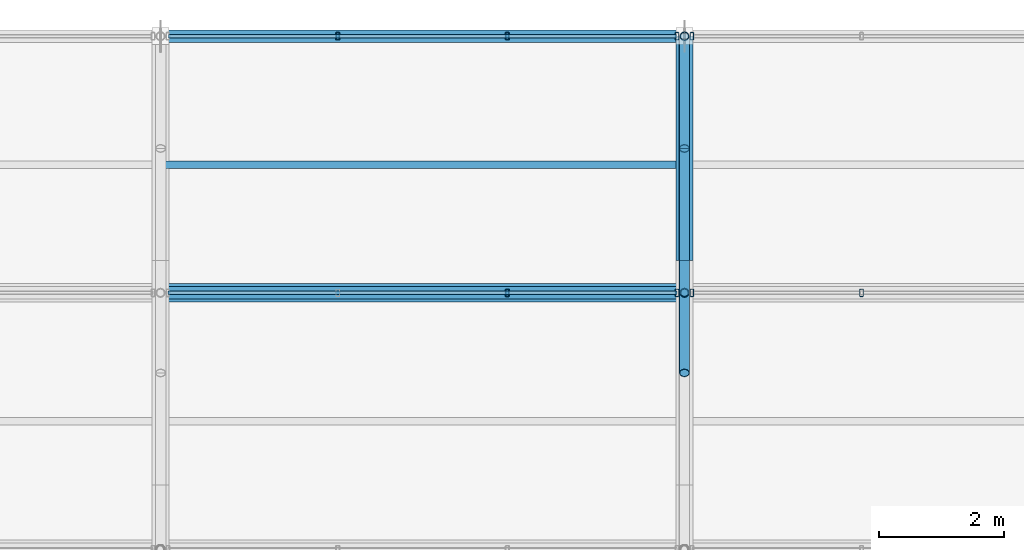
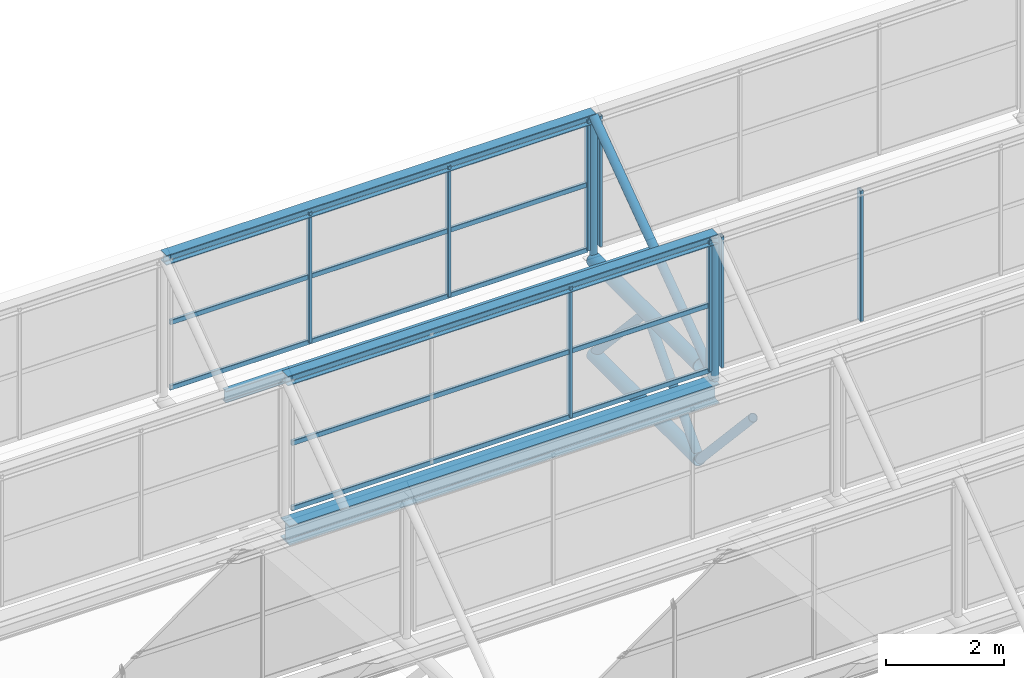
# One storey, part 68 of 134: 22 members, 4 beams, 4 elements without a shape of their own.
"""IFC4 building model written with IfcOpenShell, lengths in metres."""

from ifc_helpers import new_model, si_unit, derived_unit, direction, frame, origin, origin_2d, place, context, subcontext, project, spatial, hollow_rectangle, hollow_circle, i_section, extrude, material, material_profile, profile_set, type_object, element, aggregate, save


model = new_model("IFC4")

# Units and contexts
model_context = context("Model", 3, precision=1e-05, world=origin(), true_north=direction((0.0, 1.0)))
body_context = subcontext(model_context, "Body", "Model", "MODEL_VIEW")
ifc_project = project(units=[si_unit("LENGTHUNIT", "METRE"), si_unit("AREAUNIT", "SQUARE_METRE"), si_unit("VOLUMEUNIT", "CUBIC_METRE"), si_unit("PLANEANGLEUNIT", "RADIAN"), si_unit("MASSUNIT", "GRAM", prefix="KILO"), derived_unit("THERMALTRANSMITTANCEUNIT", [(si_unit("MASSUNIT", "GRAM", prefix="KILO"), 1), (si_unit("TIMEUNIT", "SECOND"), -3), (si_unit("THERMODYNAMICTEMPERATUREUNIT", "KELVIN"), -1)])], contexts=[model_context])

# Site, building, storey
site_placement = place(None, origin())
site = spatial("IfcSite", under=ifc_project, at=site_placement, CompositionType="ELEMENT")
building_placement = place(site_placement, origin())
building = spatial("IfcBuilding", under=site, at=building_placement, Name="Kharveza Railside Sports Centre", CompositionType="ELEMENT")
storey_placement = place(building_placement, frame((0.0, 0.0, 12.89990234375)))
storey = spatial("IfcBuildingStorey", under=building, at=storey_placement, Name="L03", CompositionType="ELEMENT", Elevation=12.89990234375)

# Beams
ifc_material_1 = material(Name="Steel S355J2", Category="steel")
ifc_material_profile_1 = material_profile(ifc_material_1, i_section(OverallWidth=0.300048828125, OverallDepth=0.39990234375, WebThickness=0.013427734375, FlangeThickness=0.02392578125, FilletRadius=0.027099609375, at=origin_2d()), Name="HEB 400")
ifc_profile_set_1 = profile_set([ifc_material_profile_1], Name="Steel S355J2")
beam_type_1 = type_object("IfcBeamType", Name="BM-G07", PredefinedType="T_BEAM", material=ifc_profile_set_1)
beam_1_placement = place(storey_placement, frame((109.199951171875, 103.8857421875, 1.760009765625), z_axis=(1.0, 0.0, 0.0), x_axis=(0.0, 1.0, 0.0)))
element("IfcBeam", 1, at=beam_1_placement, inside=storey, type_object=beam_type_1, Name="BM-V2SAW-VAL-7-3", PredefinedType="T_BEAM", context=body_context, shape_type="SweptSolid", body=[
    extrude(i_section(OverallWidth=0.300048828125, OverallDepth=0.39990234375, WebThickness=0.013427734375, FlangeThickness=0.02392578125, FilletRadius=0.027099609375, at=origin_2d()), origin(), (0.0, 0.0, 1.0), 8.400146484375),
])
ifc_material_2 = material(Name="Steel S275JR", Category="steel")
ifc_material_profile_2 = material_profile(ifc_material_2, i_section(OverallWidth=0.1201171875, OverallDepth=0.239990234375, WebThickness=0.006103515625, FlangeThickness=0.009765625, FilletRadius=0.014892578125, at=origin_2d()), Name="IPE 240")
ifc_profile_set_2 = profile_set([ifc_material_profile_2], Name="Steel S275JR")
beam_type_2 = type_object("IfcBeamType", Name="BM-J01", PredefinedType="JOIST", material=ifc_profile_set_2)
beam_2_placement = place(storey_placement, frame((109.199951171875, 105.94287109375, 3.320068359375), z_axis=(1.0, 0.0, 0.0), x_axis=(0.0, 1.0, 0.0)))
element("IfcBeam", 2, at=beam_2_placement, inside=storey, type_object=beam_type_2, Name="BM-V2SAW-PUR-7-3", PredefinedType="JOIST", context=body_context, shape_type="SweptSolid", body=[
    extrude(i_section(OverallWidth=0.1201171875, OverallDepth=0.239990234375, WebThickness=0.006103515625, FlangeThickness=0.009765625, FilletRadius=0.014892578125, at=origin_2d()), origin(), (0.0, 0.0, 1.0), 8.400146484375),
])
ifc_material_profile_3 = material_profile(ifc_material_2, i_section(OverallWidth=0.199951171875, OverallDepth=0.199951171875, WebThickness=0.009033203125, FlangeThickness=0.014892578125, FilletRadius=0.01806640625, at=origin_2d()), Name="HEB 200")
ifc_profile_set_3 = profile_set([ifc_material_profile_3], Name="Steel S275JR")
beam_type_3 = type_object("IfcBeamType", Name="BM-J05", PredefinedType="JOIST", material=ifc_profile_set_3)
for number, where, z_axis, x_axis, name in (
    (3, (109.199951171875, 103.8857421875, 4.920166015625), (1.0, 0.0, 0.0), (0.0, 1.0, 0.0), "BM-V2SAW-RDG-6-3"),
    (4, (109.199951171875, 108.0, 4.920166015625), (1.0, 0.0, 0.0), (0.0, 1.0, 0.0), "BM-V2SAW-RDG-7-3"),
):
    element("IfcBeam", number, at=place(storey_placement, frame(where, z_axis=z_axis, x_axis=x_axis)), inside=storey, type_object=beam_type_3, Name=name, PredefinedType="JOIST", context=body_context, shape_type="SweptSolid", body=[
        extrude(i_section(OverallWidth=0.199951171875, OverallDepth=0.199951171875, WebThickness=0.009033203125, FlangeThickness=0.014892578125, FilletRadius=0.01806640625, at=origin_2d()), origin(), (0.0, 0.0, 1.0), 8.400146484375),
    ])

# Curtain wall, members
ifc_material_3 = material(Name="Low-E solar-control laminated glass", Category="glass")
curtain_wall_type = type_object("IfcCurtainWallType", Name="CW-NL02", PredefinedType="NOTDEFINED", material=ifc_material_3)
curtain_wall_1_placement = place(storey_placement, origin())
curtain_wall_1 = element("IfcCurtainWall", 5, at=curtain_wall_1_placement, inside=storey, type_object=curtain_wall_type, Name="CW-V2NL-6-3", PredefinedType="NOTDEFINED")
ifc_material_4 = material(Name="Anodised aluminium 6063-T6", Category="aluminium")
ifc_material_profile_4 = material_profile(ifc_material_4, hollow_rectangle(XDim=0.06005859375, YDim=0.1201171875, WallThickness=0.0048828125, InnerFilletRadius=0.0048828125, OuterFilletRadius=0.010009765625, at=origin_2d()), Name="RHS 60x120x5.0")
ifc_profile_set_4 = profile_set([ifc_material_profile_4], Name="Anodised aluminium 6063-T6")
member_type_1 = type_object("IfcMemberType", Name="CW-ML05", PredefinedType="MULLION", material=ifc_profile_set_4)
member_1_placement = place(storey_placement, frame((114.760009765625, 103.8857421875, 2.2001953125), z_axis=(0.0, 0.0, 1.0), x_axis=(1.0, 0.0, 0.0)))
member_1 = element("IfcMember", 6, at=member_1_placement, type_object=member_type_1, Name="CW-V2NL-6-3-ML3", PredefinedType="MULLION", context=body_context, shape_type="SweptSolid", body=[
    extrude(hollow_rectangle(XDim=0.06005859375, YDim=0.1201171875, WallThickness=0.0048828125, InnerFilletRadius=0.0048828125, OuterFilletRadius=0.010009765625, at=origin_2d()), origin(), (0.0, 0.0, 1.0), 2.699951171875),
])
member_2_placement = place(storey_placement, frame((117.47998046875, 103.8857421875, 2.2001953125), z_axis=(0.0, 0.0, 1.0), x_axis=(1.0, 0.0, 0.0)))
member_2 = element("IfcMember", 7, at=member_2_placement, type_object=member_type_1, Name="CW-V2NL-6-3-ML4", PredefinedType="MULLION", context=body_context, shape_type="SweptSolid", body=[
    extrude(hollow_rectangle(XDim=0.06005859375, YDim=0.1201171875, WallThickness=0.0048828125, InnerFilletRadius=0.0048828125, OuterFilletRadius=0.010009765625, at=origin_2d()), origin(), (0.0, 0.0, 1.0), 2.699951171875),
])

curtain_wall_2_placement = place(storey_placement, origin())
curtain_wall_2 = element("IfcCurtainWall", 8, at=curtain_wall_2_placement, inside=storey, type_object=curtain_wall_type, Name="CW-V2NL-6-4", PredefinedType="NOTDEFINED")
member_3_placement = place(storey_placement, frame((117.719970703125, 103.8857421875, 2.2001953125), z_axis=(0.0, 0.0, 1.0), x_axis=(1.0, 0.0, 0.0)))
member_3 = element("IfcMember", 9, at=member_3_placement, type_object=member_type_1, Name="CW-V2NL-6-4-ML1", PredefinedType="MULLION", context=body_context, shape_type="SweptSolid", body=[
    extrude(hollow_rectangle(XDim=0.06005859375, YDim=0.1201171875, WallThickness=0.0048828125, InnerFilletRadius=0.0048828125, OuterFilletRadius=0.010009765625, at=origin_2d()), origin(), (0.0, 0.0, 1.0), 2.699951171875),
])
member_4_placement = place(storey_placement, frame((120.43994140625, 103.8857421875, 2.2001953125), z_axis=(0.0, 0.0, 1.0), x_axis=(1.0, 0.0, 0.0)))
member_4 = element("IfcMember", 10, at=member_4_placement, type_object=member_type_1, Name="CW-V2NL-6-4-ML2", PredefinedType="MULLION", context=body_context, shape_type="SweptSolid", body=[
    extrude(hollow_rectangle(XDim=0.06005859375, YDim=0.1201171875, WallThickness=0.0048828125, InnerFilletRadius=0.0048828125, OuterFilletRadius=0.010009765625, at=origin_2d()), origin(), (0.0, 0.0, 1.0), 2.699951171875),
])
aggregate(curtain_wall_2, [member_3, member_4])

curtain_wall_3_placement = place(storey_placement, origin())
curtain_wall_3 = element("IfcCurtainWall", 11, at=curtain_wall_3_placement, inside=storey, type_object=curtain_wall_type, Name="CW-V2NL-7-3", PredefinedType="NOTDEFINED")
member_5_placement = place(storey_placement, frame((112.0400390625, 108.0, 2.2001953125), z_axis=(0.0, 0.0, 1.0), x_axis=(1.0, 0.0, 0.0)))
member_5 = element("IfcMember", 12, at=member_5_placement, type_object=member_type_1, Name="CW-V2NL-7-3-ML2", PredefinedType="MULLION", context=body_context, shape_type="SweptSolid", body=[
    extrude(hollow_rectangle(XDim=0.06005859375, YDim=0.1201171875, WallThickness=0.0048828125, InnerFilletRadius=0.0048828125, OuterFilletRadius=0.010009765625, at=origin_2d()), origin(), (0.0, 0.0, 1.0), 2.699951171875),
])
member_6_placement = place(storey_placement, frame((114.760009765625, 108.0, 2.2001953125), z_axis=(0.0, 0.0, 1.0), x_axis=(1.0, 0.0, 0.0)))
member_6 = element("IfcMember", 13, at=member_6_placement, type_object=member_type_1, Name="CW-V2NL-7-3-ML3", PredefinedType="MULLION", context=body_context, shape_type="SweptSolid", body=[
    extrude(hollow_rectangle(XDim=0.06005859375, YDim=0.1201171875, WallThickness=0.0048828125, InnerFilletRadius=0.0048828125, OuterFilletRadius=0.010009765625, at=origin_2d()), origin(), (0.0, 0.0, 1.0), 2.699951171875),
])
member_7_placement = place(storey_placement, frame((117.47998046875, 108.0, 2.2001953125), z_axis=(0.0, 0.0, 1.0), x_axis=(1.0, 0.0, 0.0)))
member_7 = element("IfcMember", 14, at=member_7_placement, type_object=member_type_1, Name="CW-V2NL-7-3-ML4", PredefinedType="MULLION", context=body_context, shape_type="SweptSolid", body=[
    extrude(hollow_rectangle(XDim=0.06005859375, YDim=0.1201171875, WallThickness=0.0048828125, InnerFilletRadius=0.0048828125, OuterFilletRadius=0.010009765625, at=origin_2d()), origin(), (0.0, 0.0, 1.0), 2.699951171875),
])

# Curtain wall, member
curtain_wall_4_placement = place(storey_placement, origin())
curtain_wall_4 = element("IfcCurtainWall", 15, at=curtain_wall_4_placement, inside=storey, type_object=curtain_wall_type, Name="CW-V2NL-7-4", PredefinedType="NOTDEFINED")
member_8_placement = place(storey_placement, frame((117.719970703125, 108.0, 2.2001953125), z_axis=(0.0, 0.0, 1.0), x_axis=(1.0, 0.0, 0.0)))
member_8 = element("IfcMember", 16, at=member_8_placement, type_object=member_type_1, Name="CW-V2NL-7-4-ML1", PredefinedType="MULLION", context=body_context, shape_type="SweptSolid", body=[
    extrude(hollow_rectangle(XDim=0.06005859375, YDim=0.1201171875, WallThickness=0.0048828125, InnerFilletRadius=0.0048828125, OuterFilletRadius=0.010009765625, at=origin_2d()), origin(), (0.0, 0.0, 1.0), 2.699951171875),
])
aggregate(curtain_wall_4, [member_8])

# Member
ifc_material_profile_5 = material_profile(ifc_material_4, hollow_rectangle(XDim=0.06005859375, YDim=0.10009765625, WallThickness=0.00390625, InnerFilletRadius=0.00390625, OuterFilletRadius=0.008056640625, at=origin_2d()), Name="RHS 60x100x4.0")
ifc_profile_set_5 = profile_set([ifc_material_profile_5], Name="Anodised aluminium 6063-T6")
member_type_2 = type_object("IfcMemberType", Name="CW-TR05", PredefinedType="USERDEFINED", material=ifc_profile_set_5)
member_9_placement = place(storey_placement, frame((109.320068359375, 103.8857421875, 2.2001953125), z_axis=(1.0, 0.0, 0.0), x_axis=(0.0, 1.0, 0.0)))
member_9 = element("IfcMember", 17, at=member_9_placement, type_object=member_type_2, Name="CW-V2NL-6-3-TR1", ObjectType="TRANSOM", PredefinedType="USERDEFINED", context=body_context, shape_type="SweptSolid", body=[
    extrude(hollow_rectangle(XDim=0.06005859375, YDim=0.10009765625, WallThickness=0.00390625, InnerFilletRadius=0.00390625, OuterFilletRadius=0.008056640625, at=origin_2d()), origin(), (0.0, 0.0, 1.0), 8.159912109375),
])

member_10_placement = place(storey_placement, frame((109.320068359375, 103.8857421875, 3.550048828125), z_axis=(1.0, 0.0, 0.0), x_axis=(0.0, 1.0, 0.0)))
member_10 = element("IfcMember", 18, at=member_10_placement, type_object=member_type_2, Name="CW-V2NL-6-3-TR2", ObjectType="TRANSOM", PredefinedType="USERDEFINED", context=body_context, shape_type="SweptSolid", body=[
    extrude(hollow_rectangle(XDim=0.06005859375, YDim=0.10009765625, WallThickness=0.00390625, InnerFilletRadius=0.00390625, OuterFilletRadius=0.008056640625, at=origin_2d()), origin(), (0.0, 0.0, 1.0), 8.159912109375),
])

member_11_placement = place(storey_placement, frame((109.320068359375, 103.8857421875, 4.900146484375), z_axis=(1.0, 0.0, 0.0), x_axis=(0.0, 1.0, 0.0)))
member_11 = element("IfcMember", 19, at=member_11_placement, type_object=member_type_2, Name="CW-V2NL-6-3-TR3", ObjectType="TRANSOM", PredefinedType="USERDEFINED", context=body_context, shape_type="SweptSolid", body=[
    extrude(hollow_rectangle(XDim=0.06005859375, YDim=0.10009765625, WallThickness=0.00390625, InnerFilletRadius=0.00390625, OuterFilletRadius=0.008056640625, at=origin_2d()), origin(), (0.0, 0.0, 1.0), 8.159912109375),
])

aggregate(curtain_wall_1, [member_1, member_2, member_9, member_10, member_11])

member_12_placement = place(storey_placement, frame((109.320068359375, 108.0, 2.2001953125), z_axis=(1.0, 0.0, 0.0), x_axis=(0.0, 1.0, 0.0)))
member_12 = element("IfcMember", 20, at=member_12_placement, type_object=member_type_2, Name="CW-V2NL-7-3-TR1", ObjectType="TRANSOM", PredefinedType="USERDEFINED", context=body_context, shape_type="SweptSolid", body=[
    extrude(hollow_rectangle(XDim=0.06005859375, YDim=0.10009765625, WallThickness=0.00390625, InnerFilletRadius=0.00390625, OuterFilletRadius=0.008056640625, at=origin_2d()), origin(), (0.0, 0.0, 1.0), 8.159912109375),
])

member_13_placement = place(storey_placement, frame((109.320068359375, 108.0, 3.550048828125), z_axis=(1.0, 0.0, 0.0), x_axis=(0.0, 1.0, 0.0)))
member_13 = element("IfcMember", 21, at=member_13_placement, type_object=member_type_2, Name="CW-V2NL-7-3-TR2", ObjectType="TRANSOM", PredefinedType="USERDEFINED", context=body_context, shape_type="SweptSolid", body=[
    extrude(hollow_rectangle(XDim=0.06005859375, YDim=0.10009765625, WallThickness=0.00390625, InnerFilletRadius=0.00390625, OuterFilletRadius=0.008056640625, at=origin_2d()), origin(), (0.0, 0.0, 1.0), 8.159912109375),
])

member_14_placement = place(storey_placement, frame((109.320068359375, 108.0, 4.900146484375), z_axis=(1.0, 0.0, 0.0), x_axis=(0.0, 1.0, 0.0)))
member_14 = element("IfcMember", 22, at=member_14_placement, type_object=member_type_2, Name="CW-V2NL-7-3-TR3", ObjectType="TRANSOM", PredefinedType="USERDEFINED", context=body_context, shape_type="SweptSolid", body=[
    extrude(hollow_rectangle(XDim=0.06005859375, YDim=0.10009765625, WallThickness=0.00390625, InnerFilletRadius=0.00390625, OuterFilletRadius=0.008056640625, at=origin_2d()), origin(), (0.0, 0.0, 1.0), 8.159912109375),
])

aggregate(curtain_wall_3, [member_5, member_6, member_7, member_12, member_13, member_14])

# Members
ifc_material_profile_6 = material_profile(ifc_material_1, hollow_circle(Radius=0.136474609375, WallThickness=0.01416015625, at=origin_2d()), Name="CHS 273.0x14.2")
ifc_profile_set_6 = profile_set([ifc_material_profile_6], Name="Steel S355J2")
member_type_3 = type_object("IfcMemberType", Name="MB-CH03", PredefinedType="CHORD", material=ifc_profile_set_6)
for number, where, z_axis, x_axis, name in (
    (23, (117.60009765625, 104.39990234375, 0.0), (0.0, 1.0, 0.0), (-1.0, 0.0, 0.0), "MB-V2TR-BC-4-8"),
    (24, (117.60009765625, 104.39990234375, 1.9501953125), (0.0, 1.0, 0.0), (-1.0, 0.0, 0.0), "MB-V2TR-TC-4-8"),
):
    element("IfcMember", number, at=place(storey_placement, frame(where, z_axis=z_axis, x_axis=x_axis)), inside=storey, type_object=member_type_3, Name=name, PredefinedType="CHORD", context=body_context, shape_type="SweptSolid", body=[
        extrude(hollow_circle(Radius=0.136474609375, WallThickness=0.01416015625, at=origin_2d()), origin(), (0.0, 0.0, 1.0), 3.60009765625),
    ])
ifc_material_profile_7 = material_profile(ifc_material_1, hollow_circle(Radius=0.084228515625, WallThickness=0.010009765625, at=origin_2d()), Name="CHS 168.3x10.0")
ifc_profile_set_7 = profile_set([ifc_material_profile_7], Name="Steel S355J2")
member_type_4 = type_object("IfcMemberType", Name="MB-ST03", PredefinedType="STRUT", material=ifc_profile_set_7)
member_15_placement = place(storey_placement, frame((117.60009765625, 102.60009765625, 1.9501953125), z_axis=(0.0, 0.678203679629, -0.734873981671), x_axis=(-1.0, 0.0, 0.0)))
element("IfcMember", 25, at=member_15_placement, inside=storey, type_object=member_type_4, Name="MB-V2TR-D2-4-7", PredefinedType="STRUT", context=body_context, shape_type="SweptSolid", body=[
    extrude(hollow_circle(Radius=0.084228515625, WallThickness=0.010009765625, at=origin_2d()), origin(), (0.0, 0.0, 1.0), 2.65380859375),
])
for number, where, z_axis, x_axis, name in (
    (26, (117.60009765625, 104.39990234375, 0.0), (0.0, 0.67825335715, 0.734828131956), (-1.0, 0.0, 0.0), "MB-V2TR-D1-4-8"),
    (27, (117.60009765625, 106.199951171875, 1.9501953125), (0.0, 0.67825335715, -0.734828131956), (-1.0, 0.0, 0.0), "MB-V2TR-D2-4-8"),
):
    element("IfcMember", number, at=place(storey_placement, frame(where, z_axis=z_axis, x_axis=x_axis)), inside=storey, type_object=member_type_4, Name=name, PredefinedType="STRUT", context=body_context, shape_type="SweptSolid", body=[
        extrude(hollow_circle(Radius=0.084228515625, WallThickness=0.010009765625, at=origin_2d()), origin(), (0.0, 0.0, 1.0), 2.654052734375),
    ])
member_16_placement = place(storey_placement, frame((117.60009765625, 103.8857421875, 1.9501953125), z_axis=(0.0, 0.810813691418, 0.585304329225), x_axis=(-1.0, 0.0, 0.0)))
element("IfcMember", 28, at=member_16_placement, inside=storey, type_object=member_type_4, Name="MB-V2SAW-RFT-7-4", PredefinedType="STRUT", context=body_context, shape_type="SweptSolid", body=[
    extrude(hollow_circle(Radius=0.084228515625, WallThickness=0.010009765625, at=origin_2d()), origin(), (0.0, 0.0, 1.0), 5.07421875),
])
ifc_material_profile_8 = material_profile(ifc_material_1, hollow_circle(Radius=0.06982421875, WallThickness=0.008056640625, at=origin_2d()), Name="CHS 139.7x8.0")
ifc_profile_set_8 = profile_set([ifc_material_profile_8], Name="Steel S355J2")
member_type_5 = type_object("IfcMemberType", Name="MB-ST04", PredefinedType="STRUT", material=ifc_profile_set_8)
for number, where, z_axis, x_axis, name in (
    (29, (117.60009765625, 103.8857421875, 1.9501953125), (0.0, 0.0, 1.0), (1.0, 0.0, 0.0), "MB-V2SAW-PST-6-4"),
    (30, (117.60009765625, 108.0, 1.9501953125), (0.0, 0.0, 1.0), (1.0, 0.0, 0.0), "MB-V2SAW-PST-7-4"),
):
    element("IfcMember", number, at=place(storey_placement, frame(where, z_axis=z_axis, x_axis=x_axis)), inside=storey, type_object=member_type_5, Name=name, PredefinedType="STRUT", context=body_context, shape_type="SweptSolid", body=[
        extrude(hollow_circle(Radius=0.06982421875, WallThickness=0.008056640625, at=origin_2d()), origin(), (0.0, 0.0, 1.0), 2.969970703125),
    ])

save(model, "model.ifc")
